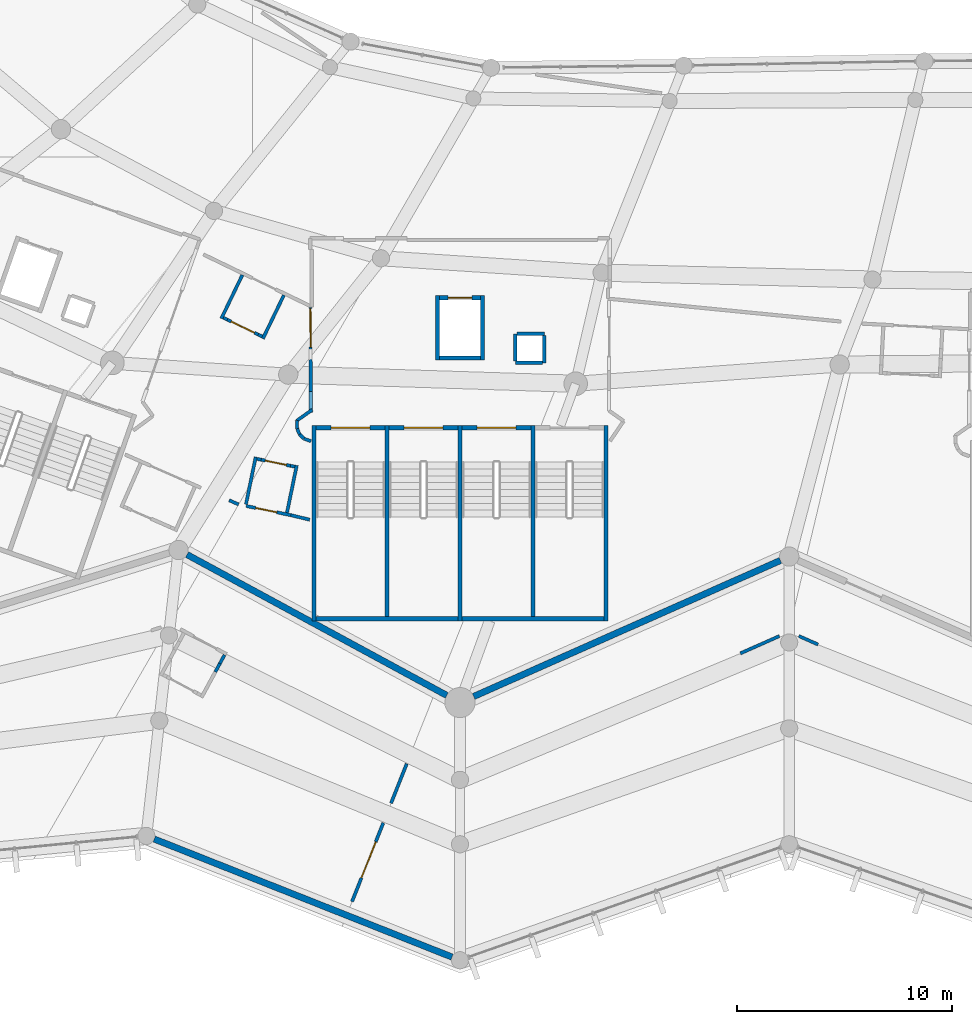
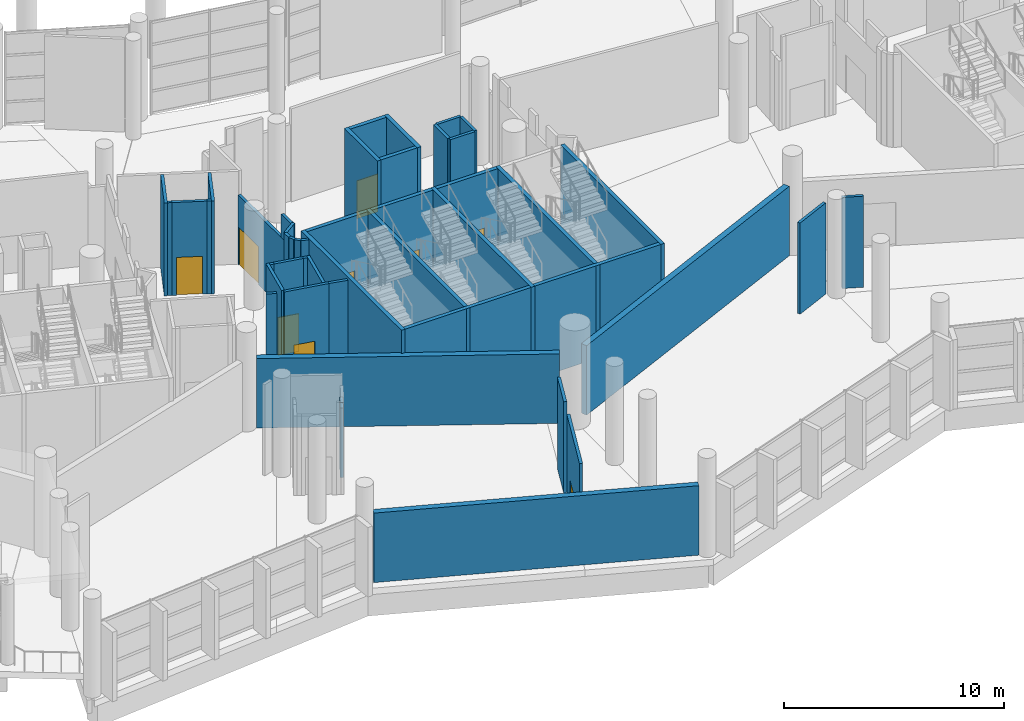
# One storey, part 162 of 271: 47 walls, 9 doors, 9 openings.
"""IFC4 building model written with IfcOpenShell, lengths in metres."""

import ifcopenshell
import ifcopenshell.guid

model = None  # the IFC model being written
_history = None  # IfcOwnerHistory: only IFC2X3 demands one
_inside = {}  # id of a spatial element -> (the spatial element, [elements in it])
_under = {}  # id of a project, library or spatial element -> (it, [spatial elements below it])
_declared = {}  # id of a project -> (the project, [libraries it declares])
_typed = {}  # id of a type object -> (the type object, [elements of that type])
_made_of = {}  # id of a material, layer set ... -> (it, [elements and type objects made of it])


def new_model(schema):
    """Start an empty IFC model of exactly this schema.

    Asked for "IFC4X3", IfcOpenShell would pick the latest addendum, in which some entities
    have other attributes; the version numbers below select the first issue.
    IFC2X3 requires an IfcOwnerHistory on every rooted entity: one is made here for all.
    """
    global model, _history
    if schema == "IFC4X3":
        model = ifcopenshell.file(schema_version=(4, 3, 0, 0))
    else:
        model = ifcopenshell.file(schema=schema)
    _inside.clear()
    _under.clear()
    _declared.clear()
    _typed.clear()
    _made_of.clear()
    _history = None
    if model.schema == "IFC2X3":
        org = make("IfcOrganization", Name="unknown")
        user = make(
            "IfcPersonAndOrganization",
            ThePerson=make("IfcPerson", FamilyName="unknown"),
            TheOrganization=org,
        )
        app = make(
            "IfcApplication",
            ApplicationDeveloper=org,
            Version="unknown",
            ApplicationFullName="unknown",
            ApplicationIdentifier="unknown",
        )
        _history = make(
            "IfcOwnerHistory",
            OwningUser=user,
            OwningApplication=app,
            ChangeAction="ADDED",
            CreationDate=0,
        )
    return model


def make(cls, **values):
    """One entity of the class cls with the attributes given. An attribute that is None is left unset."""
    return model.create_entity(
        cls, **{name: value for name, value in values.items() if value is not None}
    )


def rooted(cls, **values):
    """An entity with a GlobalId (a new one), such as an element, a storey or a relation."""
    return make(cls, GlobalId=ifcopenshell.guid.new(), OwnerHistory=_history, **values)


def si_unit(unit_type, name, prefix=None):
    """IfcSIUnit, for example si_unit("LENGTHUNIT", "METRE", prefix="MILLI")."""
    return make("IfcSIUnit", UnitType=unit_type, Prefix=prefix, Name=name)


def assignment(units):
    """IfcUnitAssignment: the units of a project."""
    return None if units is None else make("IfcUnitAssignment", Units=units)


def point(xyz):
    """IfcCartesianPoint."""
    return None if xyz is None else make("IfcCartesianPoint", Coordinates=xyz)


def direction(xyz):
    """IfcDirection."""
    return None if xyz is None else make("IfcDirection", DirectionRatios=xyz)


def frame(location, z_axis=None, x_axis=None):
    """IfcAxis2Placement3D, a coordinate frame: its origin and axes. An axis left out is left unset."""
    return make(
        "IfcAxis2Placement3D",
        Location=point(location),
        Axis=direction(z_axis),
        RefDirection=direction(x_axis),
    )


def frame_2d(location, x_axis=None):
    """IfcAxis2Placement2D, a coordinate frame in the plane: its origin and x axis."""
    return make(
        "IfcAxis2Placement2D", Location=point(location), RefDirection=direction(x_axis)
    )


def origin():
    """The frame at (0, 0, 0) with its axes left unset."""
    return frame((0.0, 0.0, 0.0))


def place(relative_to, where):
    """IfcLocalPlacement: puts the frame where relative to a parent placement (None: the world)."""
    return make(
        "IfcLocalPlacement", PlacementRelTo=relative_to, RelativePlacement=where
    )


def context(
    kind, dimensions, precision=None, world=None, true_north=None, identifier=None
):
    """IfcGeometricRepresentationContext, for example the 3D "Model" context."""
    return make(
        "IfcGeometricRepresentationContext",
        ContextIdentifier=identifier,
        ContextType=kind,
        CoordinateSpaceDimension=dimensions,
        Precision=precision,
        WorldCoordinateSystem=world,
        TrueNorth=true_north,
    )


def subcontext(parent, identifier, kind, view, scale=None):
    """IfcGeometricRepresentationSubContext, for example "Body" below "Model"."""
    return make(
        "IfcGeometricRepresentationSubContext",
        ContextIdentifier=identifier,
        ContextType=kind,
        ParentContext=parent,
        TargetScale=scale,
        TargetView=view,
    )


def project(units=None, contexts=None):
    """IfcProject with its units and contexts."""
    return rooted(
        "IfcProject",
        Name="project",
        RepresentationContexts=contexts,
        UnitsInContext=assignment(units),
    )


def spatial(cls, under=None, at=None, **own):
    """A site, building, storey or space (cls), placed at a placement, below another one or the project."""
    s = rooted(cls, ObjectPlacement=at, **own)
    if under is not None:
        _under.setdefault(under.id(), (under, []))[1].append(s)
    return s


def profile(cls, at=None, kind="AREA", **sizes):
    """A parametric profile (cls). Its sizes go by their IFC names, for example OverallWidth=200.0."""
    return make(cls, ProfileType=kind, Position=at, **sizes)


def rectangle(**sizes):
    """IfcRectangleProfileDef."""
    return profile("IfcRectangleProfileDef", **sizes)


def extrude(swept, where, along, depth):
    """IfcExtrudedAreaSolid: the profile swept, set in the frame where, extruded along a direction by depth."""
    return make(
        "IfcExtrudedAreaSolid",
        SweptArea=swept,
        Position=where,
        ExtrudedDirection=direction(along),
        Depth=depth,
    )


def shape(context_of_items, identifier, shape_type, items):
    """IfcShapeRepresentation: the items that make up one representation, for example the "Body"."""
    return make(
        "IfcShapeRepresentation",
        ContextOfItems=context_of_items,
        RepresentationIdentifier=identifier,
        RepresentationType=shape_type,
        Items=items,
    )


def material(Name=None, Category=None):
    """IfcMaterial."""
    return make("IfcMaterial", Name=Name, Category=Category)


def layer(
    of_material, thickness, ventilated=None, Name=None, Category=None, Priority=None
):
    """IfcMaterialLayer: one layer of a wall or slab, of a material (None: an air gap)."""
    return make(
        "IfcMaterialLayer",
        Material=of_material,
        LayerThickness=thickness,
        IsVentilated=ventilated,
        Name=Name,
        Category=Category,
        Priority=Priority,
    )


def layer_set(layers, Name=None):
    """IfcMaterialLayerSet."""
    return make("IfcMaterialLayerSet", MaterialLayers=layers, LayerSetName=Name)


def made_of(thing, what):
    """Note that an element or type object is made of a material, layer set ...; save() writes the relation."""
    if what is not None:
        _made_of.setdefault(what.id(), (what, []))[1].append(thing)
    return thing


def type_object(cls, material=None, **own):
    """A type object (cls), such as IfcWallType, which elements share."""
    return made_of(rooted(cls, **own), material)


def element(
    cls,
    number,
    at=None,
    inside=None,
    cuts=None,
    type_object=None,
    material=None,
    context=None,
    identifier="Body",
    shape_type=None,
    held_by="IfcProductDefinitionShape",
    body=None,
    shapes=None,
    **own,
):
    """One element of the class cls, such as IfcWall. Its Tag is "e" and its number.

    at: its placement. inside: the storey or other place that contains it. cuts: it is an
    opening in that element (IfcRelVoidsElement). A single representation is given by context,
    identifier, shape_type and body (its items); several are given by shapes. held_by: the class
    of the entity that holds the representations. save() writes the other relations.
    """
    e = rooted(cls, Tag="e%d" % number, ObjectPlacement=at, **own)
    if body is not None:
        shapes = [shape(context, identifier, shape_type, body)]
    if shapes is not None:
        e.Representation = make(held_by, Representations=shapes)
    if inside is not None:
        _inside.setdefault(inside.id(), (inside, []))[1].append(e)
    if cuts is not None:
        rooted(
            "IfcRelVoidsElement", RelatingBuildingElement=cuts, RelatedOpeningElement=e
        )
    if type_object is not None:
        _typed.setdefault(type_object.id(), (type_object, []))[1].append(e)
    return made_of(e, material)


def fill(opening, filler):
    """IfcRelFillsElement: the door or window that sits in an opening."""
    return rooted(
        "IfcRelFillsElement",
        RelatingOpeningElement=opening,
        RelatedBuildingElement=filler,
    )


def aggregate(whole, parts):
    """IfcRelAggregates: a whole, such as a stair, and the parts it consists of."""
    return rooted("IfcRelAggregates", RelatingObject=whole, RelatedObjects=parts)


def save(model, path):
    """Write the relations noted so far, then the file.

    IfcRelAggregates (storeys below a building ...), IfcRelContainedInSpatialStructure (elements
    in a storey), IfcRelDefinesByType, IfcRelAssociatesMaterial and IfcRelDeclares: one each for
    every whole, place, type object, material and project.
    """
    for whole, parts in _under.values():
        aggregate(whole, parts)
    for where, things in _inside.values():
        rooted(
            "IfcRelContainedInSpatialStructure",
            RelatedElements=things,
            RelatingStructure=where,
        )
    for kind, things in _typed.values():
        rooted("IfcRelDefinesByType", RelatedObjects=things, RelatingType=kind)
    for what, things in _made_of.values():
        rooted("IfcRelAssociatesMaterial", RelatedObjects=things, RelatingMaterial=what)
    for by, libraries in _declared.values():
        rooted("IfcRelDeclares", RelatingContext=by, RelatedDefinitions=libraries)
    model.write(path)


model = new_model("IFC4")

# Units and contexts
model_context = context("Model", 3, precision=1e-05, world=origin(), true_north=direction((0.0, 1.0)))
body_context = subcontext(model_context, "Body", "Model", "MODEL_VIEW")
ifc_project = project(units=[si_unit("LENGTHUNIT", "METRE"), si_unit("AREAUNIT", "SQUARE_METRE"), si_unit("VOLUMEUNIT", "CUBIC_METRE"), si_unit("PLANEANGLEUNIT", "RADIAN"), si_unit("MASSUNIT", "GRAM", prefix="KILO")], contexts=[model_context])

# Site, building, storey
site_placement = place(None, origin())
site = spatial("IfcSite", under=ifc_project, at=site_placement, CompositionType="ELEMENT")
building_placement = place(site_placement, origin())
building = spatial("IfcBuilding", under=site, at=building_placement, Name="Meseta Stadium", CompositionType="ELEMENT")
storey_placement = place(building_placement, frame((0.0, 0.0, 6.5)))
storey = spatial("IfcBuildingStorey", under=building, at=storey_placement, Name="L01", CompositionType="ELEMENT", Elevation=6.5)

# Walls
ifc_material_1 = material(Name="Concrete C40/50", Category="concrete")
ifc_layer_1 = layer(ifc_material_1, 0.199951171875)
ifc_layer_set_1 = layer_set([ifc_layer_1], Name="Core divider wall 200")
wall_type_1 = type_object("IfcWallType", Name="Core divider wall 200", PredefinedType="SHEAR", material=ifc_layer_set_1)
for number, where, z_axis, x_axis, name in (
    (1, (-41.7333984375, -101.60009765625, 0.0), (0.0, 0.0, 1.0), (0.0, 1.0, 0.0), "Core 23 L01 stair A divider wall"),
    (2, (-34.933349609375, -101.60009765625, 0.0), (0.0, 0.0, 1.0), (0.0, 1.0, 0.0), "Core 23 L01 stair B divider wall"),
):
    element("IfcWall", number, at=place(storey_placement, frame(where, z_axis=z_axis, x_axis=x_axis)), inside=storey, type_object=wall_type_1, Name=name, PredefinedType="SHEAR", context=body_context, shape_type="SweptSolid", body=[
        extrude(rectangle(XDim=9.10009765625, YDim=0.199951171875, at=frame_2d((4.550048828125, 0.0))), origin(), (0.0, 0.0, 1.0), 5.14990234375),
    ])
ifc_material_2 = material(Name="Concrete C40/50", Category="concrete")
ifc_layer_2 = layer(ifc_material_2, 0.199951171875)
ifc_layer_set_2 = layer_set([ifc_layer_2], Name="Core shaft wall 200")
wall_type_2 = type_object("IfcWallType", Name="Core shaft wall 200", PredefinedType="SHEAR", material=ifc_layer_set_2)
for number, where, z_axis, x_axis, name in (
    (3, (-45.13330078125, -101.60009765625, 0.0), (0.0, 0.0, 1.0), (0.0, 1.0, 0.0), "Core 23 L01 stair wall A-side"),
    (4, (-38.333251953125, -101.60009765625, 0.0), (0.0, 0.0, 1.0), (0.0, 1.0, 0.0), "Core 23 L01 stair wall shared"),
    (5, (-31.533203125, -101.60009765625, 0.0), (0.0, 0.0, 1.0), (0.0, 1.0, 0.0), "Core 23 L01 stair wall B-side"),
):
    element("IfcWall", number, at=place(storey_placement, frame(where, z_axis=z_axis, x_axis=x_axis)), inside=storey, type_object=wall_type_2, Name=name, PredefinedType="SHEAR", context=body_context, shape_type="SweptSolid", body=[
        extrude(rectangle(XDim=9.10009765625, YDim=0.199951171875, at=frame_2d((4.550048828125, 0.0))), origin(), (0.0, 0.0, 1.0), 5.14990234375),
    ])
wall_1_placement = place(storey_placement, frame((-45.033203125, -101.5, 0.0), z_axis=(0.0, 0.0, 1.0), x_axis=(1.0, 0.0, 0.0)))
element("IfcWall", 6, at=wall_1_placement, inside=storey, type_object=wall_type_2, Name="Core 23 L01 stair A outer end wall", PredefinedType="SHEAR", context=body_context, shape_type="SweptSolid", body=[
    extrude(rectangle(XDim=6.599853515625, YDim=0.199951171875, at=frame_2d((3.2998046875, 0.0))), origin(), (0.0, 0.0, 1.0), 5.14990234375),
])
wall_2_placement = place(storey_placement, frame((-38.2333984375, -101.5, 0.0), z_axis=(0.0, 0.0, 1.0), x_axis=(1.0, 0.0, 0.0)))
element("IfcWall", 7, at=wall_2_placement, inside=storey, type_object=wall_type_2, Name="Core 23 L01 stair B outer end wall", PredefinedType="SHEAR", context=body_context, shape_type="SweptSolid", body=[
    extrude(rectangle(XDim=6.60009765625, YDim=0.199951171875, at=frame_2d((3.300048828125, 0.0))), origin(), (0.0, 0.0, 1.0), 5.14990234375),
])

# Wall, opening, door
wall_3_placement = place(storey_placement, frame((-45.033203125, -92.60009765625, 0.0), z_axis=(0.0, 0.0, 1.0), x_axis=(1.0, 0.0, 0.0)))
wall_3 = element("IfcWall", 8, at=wall_3_placement, inside=storey, type_object=wall_type_2, Name="Core 23 L01 stair A1 inner end wall", PredefinedType="SHEAR", context=body_context, shape_type="SweptSolid", body=[
    extrude(rectangle(XDim=3.199951171875, YDim=0.199951171875, at=frame_2d((1.60009765625, 0.0))), origin(), (0.0, 0.0, 1.0), 5.14990234375),
])
opening_1_placement = place(wall_3_placement, frame((0.699951171875, 0.0, 0.0)))
opening_1 = element("IfcOpeningElement", 9, at=opening_1_placement, cuts=wall_3, Name="Opening D313", PredefinedType="OPENING", context=body_context, shape_type="SweptSolid", body=[
    extrude(rectangle(XDim=1.800048828125, YDim=2.10009765625, at=frame_2d((0.89990234375, 1.050048828125))), frame((0.0, 0.10986328125, 0.0), z_axis=(0.0, -1.0, 0.0), x_axis=(1.0, 0.0, 0.0)), (0.0, 0.0, 1.0), 0.219970703125),
])
ifc_material_3 = material(Name="Steel", Category="steel")
door_type_1 = type_object("IfcDoorType", Name="Stair door 1800x2100", OperationType="DOUBLE_DOOR_SINGLE_SWING", PredefinedType="DOOR", material=ifc_material_3)
door_1_placement = place(opening_1_placement, origin())
door_1 = element("IfcDoor", 10, at=door_1_placement, inside=storey, type_object=door_type_1, Name="Stair A1 door 23 L01", OperationType="DOUBLE_DOOR_SINGLE_SWING", OverallHeight=2.10009765625, OverallWidth=1.800048828125, PredefinedType="DOOR", context=body_context, shape_type="SweptSolid", body=[
    extrude(rectangle(XDim=1.800048828125, YDim=2.10009765625, at=frame_2d((0.89990234375, 1.050048828125))), frame((0.0, 0.02490234375, 0.0), z_axis=(0.0, -1.0, 0.0), x_axis=(1.0, 0.0, 0.0)), (0.0, 0.0, 1.0), 0.050048828125),
])
fill(opening_1, door_1)

wall_4_placement = place(storey_placement, frame((-41.63330078125, -92.60009765625, 0.0), z_axis=(0.0, 0.0, 1.0), x_axis=(1.0, 0.0, 0.0)))
wall_4 = element("IfcWall", 11, at=wall_4_placement, inside=storey, type_object=wall_type_2, Name="Core 23 L01 stair A2 inner end wall", PredefinedType="SHEAR", context=body_context, shape_type="SweptSolid", body=[
    extrude(rectangle(XDim=3.199951171875, YDim=0.199951171875, at=frame_2d((1.60009765625, 0.0))), origin(), (0.0, 0.0, 1.0), 5.14990234375),
])
opening_2_placement = place(wall_4_placement, frame((0.699951171875, 0.0, 0.0)))
opening_2 = element("IfcOpeningElement", 12, at=opening_2_placement, cuts=wall_4, Name="Opening D314", PredefinedType="OPENING", context=body_context, shape_type="SweptSolid", body=[
    extrude(rectangle(XDim=1.800048828125, YDim=2.10009765625, at=frame_2d((0.89990234375, 1.050048828125))), frame((0.0, 0.10986328125, 0.0), z_axis=(0.0, -1.0, 0.0), x_axis=(1.0, 0.0, 0.0)), (0.0, 0.0, 1.0), 0.219970703125),
])
door_2_placement = place(opening_2_placement, origin())
door_2 = element("IfcDoor", 13, at=door_2_placement, inside=storey, type_object=door_type_1, Name="Stair A2 door 23 L01", OperationType="DOUBLE_DOOR_SINGLE_SWING", OverallHeight=2.10009765625, OverallWidth=1.800048828125, PredefinedType="DOOR", context=body_context, shape_type="SweptSolid", body=[
    extrude(rectangle(XDim=1.800048828125, YDim=2.10009765625, at=frame_2d((0.89990234375, 1.050048828125))), frame((0.0, 0.02490234375, 0.0), z_axis=(0.0, -1.0, 0.0), x_axis=(1.0, 0.0, 0.0)), (0.0, 0.0, 1.0), 0.050048828125),
])
fill(opening_2, door_2)

wall_5_placement = place(storey_placement, frame((-38.2333984375, -92.60009765625, 0.0), z_axis=(0.0, 0.0, 1.0), x_axis=(1.0, 0.0, 0.0)))
wall_5 = element("IfcWall", 14, at=wall_5_placement, inside=storey, type_object=wall_type_2, Name="Core 23 L01 stair B1 inner end wall", PredefinedType="SHEAR", context=body_context, shape_type="SweptSolid", body=[
    extrude(rectangle(XDim=3.2001953125, YDim=0.199951171875, at=frame_2d((1.60009765625, 0.0))), origin(), (0.0, 0.0, 1.0), 5.14990234375),
])
opening_3_placement = place(wall_5_placement, frame((0.699951171875, 0.0, 0.0)))
opening_3 = element("IfcOpeningElement", 15, at=opening_3_placement, cuts=wall_5, Name="Opening D315", PredefinedType="OPENING", context=body_context, shape_type="SweptSolid", body=[
    extrude(rectangle(XDim=1.800048828125, YDim=2.10009765625, at=frame_2d((0.89990234375, 1.050048828125))), frame((0.0, 0.10986328125, 0.0), z_axis=(0.0, -1.0, 0.0), x_axis=(1.0, 0.0, 0.0)), (0.0, 0.0, 1.0), 0.219970703125),
])
door_3_placement = place(opening_3_placement, origin())
door_3 = element("IfcDoor", 16, at=door_3_placement, inside=storey, type_object=door_type_1, Name="Stair B1 door 23 L01", OperationType="DOUBLE_DOOR_SINGLE_SWING", OverallHeight=2.10009765625, OverallWidth=1.800048828125, PredefinedType="DOOR", context=body_context, shape_type="SweptSolid", body=[
    extrude(rectangle(XDim=1.800048828125, YDim=2.10009765625, at=frame_2d((0.89990234375, 1.050048828125))), frame((0.0, 0.02490234375, 0.0), z_axis=(0.0, -1.0, 0.0), x_axis=(1.0, 0.0, 0.0)), (0.0, 0.0, 1.0), 0.050048828125),
])
fill(opening_3, door_3)

# Walls
for number, where, z_axis, x_axis, name in (
    (17, (-39.38330078125, -89.451171875, 0.0), (0.0, 0.0, 1.0), (0.0, 1.0, 0.0), "Core 23 L01 lift shaft wall left"),
    (18, (-37.283203125, -89.451171875, 0.0), (0.0, 0.0, 1.0), (0.0, 1.0, 0.0), "Core 23 L01 lift shaft wall right"),
):
    element("IfcWall", number, at=place(storey_placement, frame(where, z_axis=z_axis, x_axis=x_axis)), inside=storey, type_object=wall_type_2, Name=name, PredefinedType="SHEAR", context=body_context, shape_type="SweptSolid", body=[
        extrude(rectangle(XDim=3.0, YDim=0.199951171875, at=frame_2d((1.5, 0.0))), origin(), (0.0, 0.0, 1.0), 5.14990234375),
    ])
wall_6_placement = place(storey_placement, frame((-39.283203125, -89.35107421875, 0.0), z_axis=(0.0, 0.0, 1.0), x_axis=(1.0, 0.0, 0.0)))
element("IfcWall", 19, at=wall_6_placement, inside=storey, type_object=wall_type_2, Name="Core 23 L01 lift shaft back wall", PredefinedType="SHEAR", context=body_context, shape_type="SweptSolid", body=[
    extrude(rectangle(XDim=1.89990234375, YDim=0.199951171875, at=frame_2d((0.949951171875, 0.0))), origin(), (0.0, 0.0, 1.0), 5.14990234375),
])

# Wall, opening, door
wall_7_placement = place(storey_placement, frame((-39.283203125, -86.551025390625, 0.0), z_axis=(0.0, 0.0, 1.0), x_axis=(1.0, 0.0, 0.0)))
wall_7 = element("IfcWall", 20, at=wall_7_placement, inside=storey, type_object=wall_type_2, Name="Core 23 L01 lift shaft front wall", PredefinedType="SHEAR", context=body_context, shape_type="SweptSolid", body=[
    extrude(rectangle(XDim=1.89990234375, YDim=0.199951171875, at=frame_2d((0.949951171875, 0.0))), origin(), (0.0, 0.0, 1.0), 5.14990234375),
])
opening_4_placement = place(wall_7_placement, frame((0.39990234375, 0.0, 0.0)))
opening_4 = element("IfcOpeningElement", 21, at=opening_4_placement, cuts=wall_7, Name="Opening LD127", PredefinedType="OPENING", context=body_context, shape_type="SweptSolid", body=[
    extrude(rectangle(XDim=1.10009765625, YDim=2.10009765625, at=frame_2d((0.550048828125, 1.050048828125))), frame((0.0, 0.10986328125, 0.0), z_axis=(0.0, -1.0, 0.0), x_axis=(1.0, 0.0, 0.0)), (0.0, 0.0, 1.0), 0.219970703125),
])
ifc_material_4 = material(Name="Steel", Category="steel")
door_type_2 = type_object("IfcDoorType", Name="Lift landing door 1100x2100", OperationType="SLIDING_TO_LEFT", PredefinedType="DOOR", material=ifc_material_4)
door_4_placement = place(opening_4_placement, origin())
door_4 = element("IfcDoor", 22, at=door_4_placement, inside=storey, type_object=door_type_2, Name="Lift landing door LD127", OperationType="SLIDING_TO_LEFT", OverallHeight=2.10009765625, OverallWidth=1.10009765625, PredefinedType="DOOR", context=body_context, shape_type="SweptSolid", body=[
    extrude(rectangle(XDim=1.10009765625, YDim=2.10009765625, at=frame_2d((0.550048828125, 1.050048828125))), frame((0.0, 0.02490234375, 0.0), z_axis=(0.0, -1.0, 0.0), x_axis=(1.0, 0.0, 0.0)), (0.0, 0.0, 1.0), 0.050048828125),
])
fill(opening_4, door_4)

# Wall
ifc_material_5 = material(Name="Masonry blockwork", Category="masonry")
ifc_layer_3 = layer(ifc_material_5, 0.14990234375)
ifc_layer_set_3 = layer_set([ifc_layer_3], Name="Partition 150")
wall_type_3 = type_object("IfcWallType", Name="Partition 150", PredefinedType="PARTITIONING", material=ifc_layer_set_3)
wall_8_placement = place(storey_placement, frame((-49.082763671875, -95.978515625, 0.0), z_axis=(0.0, 0.0, 1.0), x_axis=(0.915644030191, -0.401990062035, 0.0)))
element("IfcWall", 23, at=wall_8_placement, inside=storey, type_object=wall_type_3, Name="Partition L01 L01-cell21-2-0", PredefinedType="PARTITIONING", context=body_context, shape_type="SweptSolid", body=[
    extrude(rectangle(XDim=0.48095703125, YDim=0.14990234375, at=frame_2d((0.240478515625, 0.0))), origin(), (0.0, 0.0, 1.0), 5.14990234375),
])

# Wall, opening, door
wall_9_placement = place(storey_placement, frame((-48.29150390625, -96.244140625, 0.0), z_axis=(0.0, 0.0, 1.0), x_axis=(0.979454370032, -0.201665904471, 0.0)))
wall_9 = element("IfcWall", 24, at=wall_9_placement, inside=storey, type_object=wall_type_3, Name="Partition L01 L01-cell21-2-0", PredefinedType="PARTITIONING", context=body_context, shape_type="SweptSolid", body=[
    extrude(rectangle(XDim=2.122314453125, YDim=0.14990234375, at=frame_2d((1.06103515625, 0.0))), origin(), (0.0, 0.0, 1.0), 5.14990234375),
])
opening_5_placement = place(wall_9_placement, frame((0.449951171875, 0.0, 0.0)))
opening_5 = element("IfcOpeningElement", 25, at=opening_5_placement, cuts=wall_9, Name="Opening D670", PredefinedType="OPENING", context=body_context, shape_type="SweptSolid", body=[
    extrude(rectangle(XDim=1.0, YDim=2.10009765625, at=frame_2d((0.5, 1.050048828125))), frame((0.0, 0.0849609375, 0.0), z_axis=(0.0, -1.0, 0.0), x_axis=(1.0, 0.0, 0.0)), (0.0, 0.0, 1.0), 0.169921875),
])
ifc_material_6 = material(Name="Steel", Category="steel")
door_type_3 = type_object("IfcDoorType", Name="Fire door 1000x2100 EI2 60", OperationType="NOTDEFINED", PredefinedType="DOOR", material=ifc_material_6)
door_5_placement = place(opening_5_placement, origin())
door_5 = element("IfcDoor", 26, at=door_5_placement, inside=storey, type_object=door_type_3, Name="Door D670", OperationType="SINGLE_SWING_LEFT", OverallHeight=2.10009765625, OverallWidth=1.0, PredefinedType="DOOR", context=body_context, shape_type="SweptSolid", body=[
    extrude(rectangle(XDim=1.0, YDim=2.10009765625, at=frame_2d((0.5, 1.050048828125))), frame((0.0, 0.02490234375, 0.0), z_axis=(0.0, -1.0, 0.0), x_axis=(1.0, 0.0, 0.0)), (0.0, 0.0, 1.0), 0.050048828125),
])
fill(opening_5, door_5)

# Walls
wall_10_placement = place(storey_placement, frame((-46.212890625, -96.672119140625, 0.0), z_axis=(0.0, 0.0, 1.0), x_axis=(0.972431382429, -0.233189207443, 0.0)))
element("IfcWall", 27, at=wall_10_placement, inside=storey, type_object=wall_type_3, Name="Partition L01 L01-cell21-2-0", PredefinedType="PARTITIONING", context=body_context, shape_type="SweptSolid", body=[
    extrude(rectangle(XDim=0.904541015625, YDim=0.14990234375, at=frame_2d((0.4521484375, 0.0))), origin(), (0.0, 0.0, 1.0), 5.14990234375),
])
wall_11_placement = place(storey_placement, frame((-40.814453125, -108.252197265625, 0.0), z_axis=(0.0, 0.0, 1.0), x_axis=(-0.368808194062, -0.929505522304, 0.0)))
element("IfcWall", 28, at=wall_11_placement, inside=storey, type_object=wall_type_3, Name="Partition L01 L01-ring21-0", PredefinedType="PARTITIONING", context=body_context, shape_type="SweptSolid", body=[
    extrude(rectangle(XDim=1.973388671875, YDim=0.14990234375, at=frame_2d((0.98681640625, 0.0))), origin(), (0.0, 0.0, 1.0), 5.050048828125),
])

# Wall, opening, door
wall_12_placement = place(storey_placement, frame((-43.36181640625, -114.671875, 0.0), z_axis=(0.0, 0.0, 1.0), x_axis=(0.368808194062, 0.929505522304, 0.0)))
wall_12 = element("IfcWall", 29, at=wall_12_placement, inside=storey, type_object=wall_type_3, Name="Partition L01 L01-ring21-0", PredefinedType="PARTITIONING", context=body_context, shape_type="SweptSolid", body=[
    extrude(rectangle(XDim=3.94677734375, YDim=0.14990234375, at=frame_2d((1.973388671875, 0.0))), origin(), (0.0, 0.0, 1.0), 5.050048828125),
])
opening_6_placement = place(wall_12_placement, frame((1.19677734375, 0.0, 0.0)))
opening_6 = element("IfcOpeningElement", 30, at=opening_6_placement, cuts=wall_12, Name="Opening D700", PredefinedType="OPENING", context=body_context, shape_type="SweptSolid", body=[
    extrude(rectangle(XDim=1.800048828125, YDim=2.10009765625, at=frame_2d((0.89990234375, 1.050048828125))), frame((0.0, 0.0849609375, 0.0), z_axis=(0.0, -1.0, 0.0), x_axis=(1.0, 0.0, 0.0)), (0.0, 0.0, 1.0), 0.169921875),
])
ifc_material_7 = material(Name="Steel", Category="steel")
door_type_4 = type_object("IfcDoorType", Name="Fire double door 1800x2100 EI2 60", OperationType="DOUBLE_DOOR_SINGLE_SWING", PredefinedType="DOOR", material=ifc_material_7)
door_6_placement = place(opening_6_placement, origin())
door_6 = element("IfcDoor", 31, at=door_6_placement, inside=storey, type_object=door_type_4, Name="Door D700", OperationType="DOUBLE_DOOR_SINGLE_SWING", OverallHeight=2.10009765625, OverallWidth=1.800048828125, PredefinedType="DOOR", context=body_context, shape_type="SweptSolid", body=[
    extrude(rectangle(XDim=1.800048828125, YDim=2.10009765625, at=frame_2d((0.89990234375, 1.050048828125))), frame((0.0, 0.02490234375, 0.0), z_axis=(0.0, -1.0, 0.0), x_axis=(1.0, 0.0, 0.0)), (0.0, 0.0, 1.0), 0.050048828125),
])
fill(opening_6, door_6)

# Walls
wall_13_placement = place(storey_placement, frame((-25.275634765625, -103.10986328125, 0.0), z_axis=(0.0, 0.0, 1.0), x_axis=(0.914139836341, 0.405399012844, 0.0)))
element("IfcWall", 32, at=wall_13_placement, inside=storey, type_object=wall_type_3, Name="Partition L01 L01-ring22-0", PredefinedType="PARTITIONING", context=body_context, shape_type="SweptSolid", body=[
    extrude(rectangle(XDim=1.991455078125, YDim=0.14990234375, at=frame_2d((0.99560546875, 0.0))), origin(), (0.0, 0.0, 1.0), 5.050048828125),
])
wall_14_placement = place(storey_placement, frame((-22.551513671875, -102.299560546875, 0.0), z_axis=(0.0, 0.0, 1.0), x_axis=(0.914119005748, -0.405445980781, 0.0)))
element("IfcWall", 33, at=wall_14_placement, inside=storey, type_object=wall_type_3, Name="Partition L01 L01-ring22-0", PredefinedType="PARTITIONING", context=body_context, shape_type="SweptSolid", body=[
    extrude(rectangle(XDim=0.9814453125, YDim=0.14990234375, at=frame_2d((0.49072265625, 0.0))), origin(), (0.0, 0.0, 1.0), 5.050048828125),
])
wall_15_placement = place(storey_placement, frame((-35.75830078125, -89.576171875, 0.0), z_axis=(0.0, 0.0, 1.0), x_axis=(1.0, 0.0, 0.0)))
element("IfcWall", 34, at=wall_15_placement, inside=storey, type_object=wall_type_3, Name="Pressurisation shaft wall L01 core 23", PredefinedType="PARTITIONING", context=body_context, shape_type="SweptSolid", body=[
    extrude(rectangle(XDim=1.27490234375, YDim=0.14990234375, at=frame_2d((0.637451171875, 0.0))), origin(), (0.0, 0.0, 1.0), 5.14990234375),
])
for number, where, z_axis, x_axis, name in (
    (35, (-34.408203125, -89.576171875, 0.0), (0.0, 0.0, 1.0), (0.0, 1.0, 0.0), "Pressurisation shaft wall L01 core 23"),
    (36, (-34.408203125, -88.22607421875, 0.0), (0.0, 0.0, 1.0), (-1.0, 0.0, 0.0), "Pressurisation shaft wall L01 core 23"),
    (37, (-35.75830078125, -88.22607421875, 0.0), (0.0, 0.0, 1.0), (0.0, -1.0, 0.0), "Pressurisation shaft wall L01 core 23"),
):
    element("IfcWall", number, at=place(storey_placement, frame(where, z_axis=z_axis, x_axis=x_axis)), inside=storey, type_object=wall_type_3, Name=name, PredefinedType="PARTITIONING", context=body_context, shape_type="SweptSolid", body=[
        extrude(rectangle(XDim=1.275146484375, YDim=0.14990234375, at=frame_2d((0.6376953125, 0.0))), origin(), (0.0, 0.0, 1.0), 5.14990234375),
    ])
wall_16_placement = place(storey_placement, frame((-45.21630859375, -91.763916015625, 0.0), z_axis=(0.0, 0.0, 1.0), x_axis=(-0.815931335572, -0.578148817894, 0.0)))
element("IfcWall", 38, at=wall_16_placement, inside=storey, type_object=wall_type_3, Name="Stair vestibule wall L01 core 23", PredefinedType="PARTITIONING", context=body_context, shape_type="SweptSolid", body=[
    extrude(rectangle(XDim=0.875732421875, YDim=0.14990234375, at=frame_2d((0.43798828125, 0.0))), origin(), (0.0, 0.0, 1.0), 5.14990234375),
])
wall_17_placement = place(storey_placement, frame((-45.930908203125, -92.270263671875, 0.0), z_axis=(0.0, 0.0, 1.0), x_axis=(0.042929137953, -0.999078119626, 0.0)))
element("IfcWall", 39, at=wall_17_placement, inside=storey, type_object=wall_type_3, Name="Stair vestibule wall L01 core 23", PredefinedType="PARTITIONING", context=body_context, shape_type="SweptSolid", body=[
    extrude(rectangle(XDim=0.375244140625, YDim=0.14990234375, at=frame_2d((0.1875, 0.0))), origin(), (0.0, 0.0, 1.0), 5.14990234375),
])
wall_18_placement = place(storey_placement, frame((-45.914794921875, -92.645263671875, 0.0), z_axis=(0.0, 0.0, 1.0), x_axis=(0.384677041424, -0.923051230323, 0.0)))
element("IfcWall", 40, at=wall_18_placement, inside=storey, type_object=wall_type_3, Name="Stair vestibule wall L01 core 23", PredefinedType="PARTITIONING", context=body_context, shape_type="SweptSolid", body=[
    extrude(rectangle(XDim=0.28125, YDim=0.14990234375, at=frame_2d((0.140625, 0.0))), origin(), (0.0, 0.0, 1.0), 5.14990234375),
])
wall_19_placement = place(storey_placement, frame((-45.806640625, -92.90478515625, 0.0), z_axis=(0.0, 0.0, 1.0), x_axis=(0.707964399137, -0.706248121806, 0.0)))
element("IfcWall", 41, at=wall_19_placement, inside=storey, type_object=wall_type_3, Name="Stair vestibule wall L01 core 23", PredefinedType="PARTITIONING", context=body_context, shape_type="SweptSolid", body=[
    extrude(rectangle(XDim=0.284423828125, YDim=0.14990234375, at=frame_2d((0.14208984375, 0.0))), origin(), (0.0, 0.0, 1.0), 5.14990234375),
])
wall_20_placement = place(storey_placement, frame((-45.605224609375, -93.105712890625, 0.0), z_axis=(0.0, 0.0, 1.0), x_axis=(0.938178847311, -0.34615090706, 0.0)))
element("IfcWall", 42, at=wall_20_placement, inside=storey, type_object=wall_type_3, Name="Stair vestibule wall L01 core 23", PredefinedType="PARTITIONING", context=body_context, shape_type="SweptSolid", body=[
    extrude(rectangle(XDim=0.35546875, YDim=0.14990234375, at=frame_2d((0.177734375, 0.0))), origin(), (0.0, 0.0, 1.0), 5.14990234375),
])

# Wall, opening, door
wall_21_placement = place(storey_placement, frame((-45.297607421875, -86.999755859375, 0.0), z_axis=(0.0, 0.0, 1.0), x_axis=(0.003495783674, -0.99999388973, 0.0)))
wall_21 = element("IfcWall", 43, at=wall_21_placement, inside=storey, type_object=wall_type_3, Name="Stair vestibule wall L01 core 23", PredefinedType="PARTITIONING", context=body_context, shape_type="SweptSolid", body=[
    extrude(rectangle(XDim=4.888671875, YDim=0.14990234375, at=frame_2d((2.4443359375, 0.0))), origin(), (0.0, 0.0, 1.0), 3.85009765625),
])
opening_7_placement = place(wall_21_placement, frame((0.050048828125, 0.0, 0.0)))
opening_7 = element("IfcOpeningElement", 44, at=opening_7_placement, cuts=wall_21, Name="Opening D803", PredefinedType="OPENING", context=body_context, shape_type="SweptSolid", body=[
    extrude(rectangle(XDim=1.800048828125, YDim=2.10009765625, at=frame_2d((0.89990234375, 1.050048828125))), frame((0.0, 0.0849609375, 0.0), z_axis=(0.0, -1.0, 0.0), x_axis=(1.0, 0.0, 0.0)), (0.0, 0.0, 1.0), 0.169921875),
])
door_7_placement = place(opening_7_placement, origin())
door_7 = element("IfcDoor", 45, at=door_7_placement, inside=storey, type_object=door_type_4, Name="Stair vestibule door L01 core 23", OperationType="DOUBLE_DOOR_SINGLE_SWING", OverallHeight=2.10009765625, OverallWidth=1.800048828125, PredefinedType="DOOR", context=body_context, shape_type="SweptSolid", body=[
    extrude(rectangle(XDim=1.800048828125, YDim=2.10009765625, at=frame_2d((0.89990234375, 1.050048828125))), frame((0.0, 0.02490234375, 0.0), z_axis=(0.0, -1.0, 0.0), x_axis=(1.0, 0.0, 0.0)), (0.0, 0.0, 1.0), 0.050048828125),
])
fill(opening_7, door_7)

# Walls
wall_22_placement = place(storey_placement, frame((-45.283935546875, -90.90625, 3.85009765625), z_axis=(0.0, 0.0, 1.0), x_axis=(0.003479968985, -0.99999394489, 0.0)))
element("IfcWall", 46, at=wall_22_placement, inside=storey, type_object=wall_type_3, Name="Stair vestibule wall L01 core 23", PredefinedType="PARTITIONING", context=body_context, shape_type="SweptSolid", body=[
    extrude(rectangle(XDim=0.982177734375, YDim=0.14990234375, at=frame_2d((0.4912109375, 0.0))), origin(), (0.0, 0.0, 1.0), 1.2998046875),
])
for number, where, z_axis, x_axis, name in (
    (47, (-46.5341796875, -86.422607421875, 0.0), (0.0, 0.0, 1.0), (-0.434758168481, -0.900547241925, 0.0), "Partition L01 L01-cell21-0-0 vestibule"),
    (48, (-48.47021484375, -85.48779296875, 0.0), (0.0, 0.0, 1.0), (-0.434758168481, -0.900547241925, 0.0), "Partition L01 L01-cell21-0-0 vestibule"),
):
    element("IfcWall", number, at=place(storey_placement, frame(where, z_axis=z_axis, x_axis=x_axis)), inside=storey, type_object=wall_type_3, Name=name, PredefinedType="PARTITIONING", context=body_context, shape_type="SweptSolid", body=[
        extrude(rectangle(XDim=2.250244140625, YDim=0.14990234375, at=frame_2d((1.125, 0.0))), origin(), (0.0, 0.0, 1.0), 5.14990234375),
    ])
wall_23_placement = place(storey_placement, frame((-47.54736328125, -88.348876953125, 0.0), z_axis=(0.0, 0.0, 1.0), x_axis=(-0.900205528442, 0.435465275954, 0.0)))
element("IfcWall", 49, at=wall_23_placement, inside=storey, type_object=wall_type_3, Name="Partition L01 L01-cell21-0-0 vestibule", PredefinedType="PARTITIONING", context=body_context, shape_type="SweptSolid", body=[
    extrude(rectangle(XDim=0.2001953125, YDim=0.14990234375, at=frame_2d((0.10009765625, 0.0))), origin(), (0.0, 0.0, 1.0), 5.14990234375),
])

# Wall, opening, door
wall_24_placement = place(storey_placement, frame((-47.7275390625, -88.26171875, 0.0), z_axis=(0.0, 0.0, 1.0), x_axis=(-0.90053721394, 0.434778939589, 0.0)))
wall_24 = element("IfcWall", 50, at=wall_24_placement, inside=storey, type_object=wall_type_3, Name="Partition L01 L01-cell21-0-0 vestibule", PredefinedType="PARTITIONING", context=body_context, shape_type="SweptSolid", body=[
    extrude(rectangle(XDim=1.599853515625, YDim=0.14990234375, at=frame_2d((0.7998046875, 0.0))), origin(), (0.0, 0.0, 1.0), 5.14990234375),
])
opening_8_placement = place(wall_24_placement, frame((0.199951171875, 0.0, 0.0)))
opening_8 = element("IfcOpeningElement", 51, at=opening_8_placement, cuts=wall_24, Name="Opening D911", PredefinedType="OPENING", context=body_context, shape_type="SweptSolid", body=[
    extrude(rectangle(XDim=1.199951171875, YDim=2.10009765625, at=frame_2d((0.60009765625, 1.050048828125))), frame((0.0, 0.0849609375, 0.0), z_axis=(0.0, -1.0, 0.0), x_axis=(1.0, 0.0, 0.0)), (0.0, 0.0, 1.0), 0.169921875),
])
ifc_material_8 = material(Name="Steel", Category="steel")
door_type_5 = type_object("IfcDoorType", Name="Fire door 1200x2100 EI2 60", OperationType="NOTDEFINED", PredefinedType="DOOR", material=ifc_material_8)
door_8_placement = place(opening_8_placement, origin())
door_8 = element("IfcDoor", 52, at=door_8_placement, inside=storey, type_object=door_type_5, Name="Vestibule door L01 L01-cell21-0-0", OperationType="SINGLE_SWING_LEFT", OverallHeight=2.10009765625, OverallWidth=1.199951171875, PredefinedType="DOOR", context=body_context, shape_type="SweptSolid", body=[
    extrude(rectangle(XDim=1.199951171875, YDim=2.10009765625, at=frame_2d((0.60009765625, 1.050048828125))), frame((0.0, 0.02490234375, 0.0), z_axis=(0.0, -1.0, 0.0), x_axis=(1.0, 0.0, 0.0)), (0.0, 0.0, 1.0), 0.050048828125),
])
fill(opening_8, door_8)

# Walls
wall_25_placement = place(storey_placement, frame((-49.168212890625, -87.566162109375, 0.0), z_axis=(0.0, 0.0, 1.0), x_axis=(-0.900205528442, 0.435465275954, 0.0)))
element("IfcWall", 53, at=wall_25_placement, inside=storey, type_object=wall_type_3, Name="Partition L01 L01-cell21-0-0 vestibule", PredefinedType="PARTITIONING", context=body_context, shape_type="SweptSolid", body=[
    extrude(rectangle(XDim=0.2001953125, YDim=0.14990234375, at=frame_2d((0.10009765625, 0.0))), origin(), (0.0, 0.0, 1.0), 5.14990234375),
])
wall_26_placement = place(storey_placement, frame((-48.30078125, -96.16552734375, 0.0), z_axis=(0.0, 0.0, 1.0), x_axis=(0.201726403033, 0.979441911662, 0.0)))
element("IfcWall", 54, at=wall_26_placement, inside=storey, type_object=wall_type_3, Name="Partition L01 L01-cell21-2-0 vestibule", PredefinedType="PARTITIONING", context=body_context, shape_type="SweptSolid", body=[
    extrude(rectangle(XDim=2.249755859375, YDim=0.14990234375, at=frame_2d((1.125, 0.0))), origin(), (0.0, 0.0, 1.0), 5.14990234375),
])
wall_27_placement = place(storey_placement, frame((-46.390869140625, -96.558837890625, 0.0), z_axis=(0.0, 0.0, 1.0), x_axis=(0.201704965263, 0.979446326752, 0.0)))
element("IfcWall", 55, at=wall_27_placement, inside=storey, type_object=wall_type_3, Name="Partition L01 L01-cell21-2-0 vestibule", PredefinedType="PARTITIONING", context=body_context, shape_type="SweptSolid", body=[
    extrude(rectangle(XDim=2.25, YDim=0.14990234375, at=frame_2d((1.125, 0.0))), origin(), (0.0, 0.0, 1.0), 5.14990234375),
])
wall_28_placement = place(storey_placement, frame((-47.78857421875, -94.05029296875, 0.0), z_axis=(0.0, 0.0, 1.0), x_axis=(0.979243709193, -0.202686353773, 0.0)))
element("IfcWall", 56, at=wall_28_placement, inside=storey, type_object=wall_type_3, Name="Partition L01 L01-cell21-2-0 vestibule", PredefinedType="PARTITIONING", context=body_context, shape_type="SweptSolid", body=[
    extrude(rectangle(XDim=0.199951171875, YDim=0.14990234375, at=frame_2d((0.10009765625, 0.0))), origin(), (0.0, 0.0, 1.0), 5.14990234375),
])

# Wall, opening, door
wall_29_placement = place(storey_placement, frame((-47.5927734375, -94.0908203125, 0.0), z_axis=(0.0, 0.0, 1.0), x_axis=(0.9794722351, -0.201579117639, 0.0)))
wall_29 = element("IfcWall", 57, at=wall_29_placement, inside=storey, type_object=wall_type_3, Name="Partition L01 L01-cell21-2-0 vestibule", PredefinedType="PARTITIONING", context=body_context, shape_type="SweptSolid", body=[
    extrude(rectangle(XDim=1.400146484375, YDim=0.14990234375, at=frame_2d((0.7001953125, 0.0))), origin(), (0.0, 0.0, 1.0), 5.14990234375),
])
opening_9_placement = place(wall_29_placement, frame((0.199951171875, 0.0, 0.0)))
opening_9 = element("IfcOpeningElement", 58, at=opening_9_placement, cuts=wall_29, Name="Opening D912", PredefinedType="OPENING", context=body_context, shape_type="SweptSolid", body=[
    extrude(rectangle(XDim=1.0, YDim=2.10009765625, at=frame_2d((0.5, 1.050048828125))), frame((0.0, 0.0849609375, 0.0), z_axis=(0.0, -1.0, 0.0), x_axis=(1.0, 0.0, 0.0)), (0.0, 0.0, 1.0), 0.169921875),
])
door_9_placement = place(opening_9_placement, origin())
door_9 = element("IfcDoor", 59, at=door_9_placement, inside=storey, type_object=door_type_3, Name="Vestibule door L01 L01-cell21-2-0", OperationType="SINGLE_SWING_LEFT", OverallHeight=2.10009765625, OverallWidth=1.0, PredefinedType="DOOR", context=body_context, shape_type="SweptSolid", body=[
    extrude(rectangle(XDim=1.0, YDim=2.10009765625, at=frame_2d((0.5, 1.050048828125))), frame((0.0, 0.02490234375, 0.0), z_axis=(0.0, -1.0, 0.0), x_axis=(1.0, 0.0, 0.0)), (0.0, 0.0, 1.0), 0.050048828125),
])
fill(opening_9, door_9)

# Walls
wall_30_placement = place(storey_placement, frame((-46.221435546875, -94.373046875, 0.0), z_axis=(0.0, 0.0, 1.0), x_axis=(0.979243709193, -0.202686353773, 0.0)))
element("IfcWall", 60, at=wall_30_placement, inside=storey, type_object=wall_type_3, Name="Partition L01 L01-cell21-2-0 vestibule", PredefinedType="PARTITIONING", context=body_context, shape_type="SweptSolid", body=[
    extrude(rectangle(XDim=0.199951171875, YDim=0.14990234375, at=frame_2d((0.10009765625, 0.0))), origin(), (0.0, 0.0, 1.0), 5.14990234375),
])
wall_31_placement = place(storey_placement, frame((-49.299072265625, -103.180908203125, 0.0), z_axis=(0.0, 0.0, 1.0), x_axis=(-0.476684913063, -0.879074225341, 0.0)))
element("IfcWall", 61, at=wall_31_placement, inside=storey, type_object=wall_type_3, Name="Partition L01 L01-ring21-0 vestibule", PredefinedType="PARTITIONING", context=body_context, shape_type="SweptSolid", body=[
    extrude(rectangle(XDim=0.4501953125, YDim=0.14990234375, at=frame_2d((0.22509765625, 0.0))), origin(), (0.0, 0.0, 1.0), 3.85009765625),
])
wall_32_placement = place(storey_placement, frame((-49.513671875, -103.57666015625, 0.0), z_axis=(0.0, 0.0, 1.0), x_axis=(-0.476492931446, -0.879178301758, 0.0)))
element("IfcWall", 62, at=wall_32_placement, inside=storey, type_object=wall_type_3, Name="Partition L01 L01-ring21-0 vestibule", PredefinedType="PARTITIONING", context=body_context, shape_type="SweptSolid", body=[
    extrude(rectangle(XDim=0.449951171875, YDim=0.14990234375, at=frame_2d((0.22509765625, 0.0))), origin(), (0.0, 0.0, 1.0), 3.85009765625),
])
ifc_material_9 = material(Name="White precast concrete C40/50", Category="concrete")
ifc_layer_4 = layer(ifc_material_9, 0.300048828125)
ifc_layer_set_4 = layer_set([ifc_layer_4], Name="Pleated panel wall 300 concourse")
wall_type_4 = type_object("IfcWallType", Name="Pleated panel wall 300 concourse", PredefinedType="SOLIDWALL", material=ifc_layer_set_4)
wall_33_placement = place(storey_placement, frame((-38.948486328125, -105.06640625, 0.0), z_axis=(0.0, 0.0, 1.0), x_axis=(-0.879144247164, 0.476555760304, 0.0)))
element("IfcWall", 63, at=wall_33_placement, inside=storey, type_object=wall_type_4, Name="Pleated facade panel L01 F43", PredefinedType="SOLIDWALL", context=body_context, shape_type="SweptSolid", body=[
    extrude(rectangle(XDim=13.760498046875, YDim=0.300048828125, at=frame_2d((6.88037109375, 0.0))), origin(), (0.0, 0.0, 1.0), 3.85009765625),
])
wall_34_placement = place(storey_placement, frame((-23.410888671875, -98.7822265625, 0.0), z_axis=(0.0, 0.0, 1.0), x_axis=(-0.914140506485, -0.405397501722, 0.0)))
element("IfcWall", 64, at=wall_34_placement, inside=storey, type_object=wall_type_4, Name="Pleated facade panel L01 F44", PredefinedType="SOLIDWALL", context=body_context, shape_type="SweptSolid", body=[
    extrude(rectangle(XDim=15.624755859375, YDim=0.300048828125, at=frame_2d((7.8125, 0.0))), origin(), (0.0, 0.0, 1.0), 3.85009765625),
])
ifc_material_10 = material(Name="Precast concrete C40/50", Category="concrete")
ifc_layer_5 = layer(ifc_material_10, 0.300048828125)
ifc_layer_set_5 = layer_set([ifc_layer_5], Name="Ring facade panel wall 300")
wall_type_5 = type_object("IfcWallType", Name="Ring facade panel wall 300", PredefinedType="SOLIDWALL", material=ifc_layer_set_5)
wall_35_placement = place(storey_placement, frame((-38.705078125, -117.252685546875, 0.0), z_axis=(0.0, 0.0, 1.0), x_axis=(-0.929646167444, 0.368453529439, 0.0)))
element("IfcWall", 65, at=wall_35_placement, inside=storey, type_object=wall_type_5, Name="Ring plant panel wall L01 F43", PredefinedType="SOLIDWALL", context=body_context, shape_type="SweptSolid", body=[
    extrude(rectangle(XDim=14.9140625, YDim=0.300048828125, at=frame_2d((7.45703125, 0.0))), origin(), (0.0, 0.0, 1.0), 3.85009765625),
])

save(model, "model.ifc")
